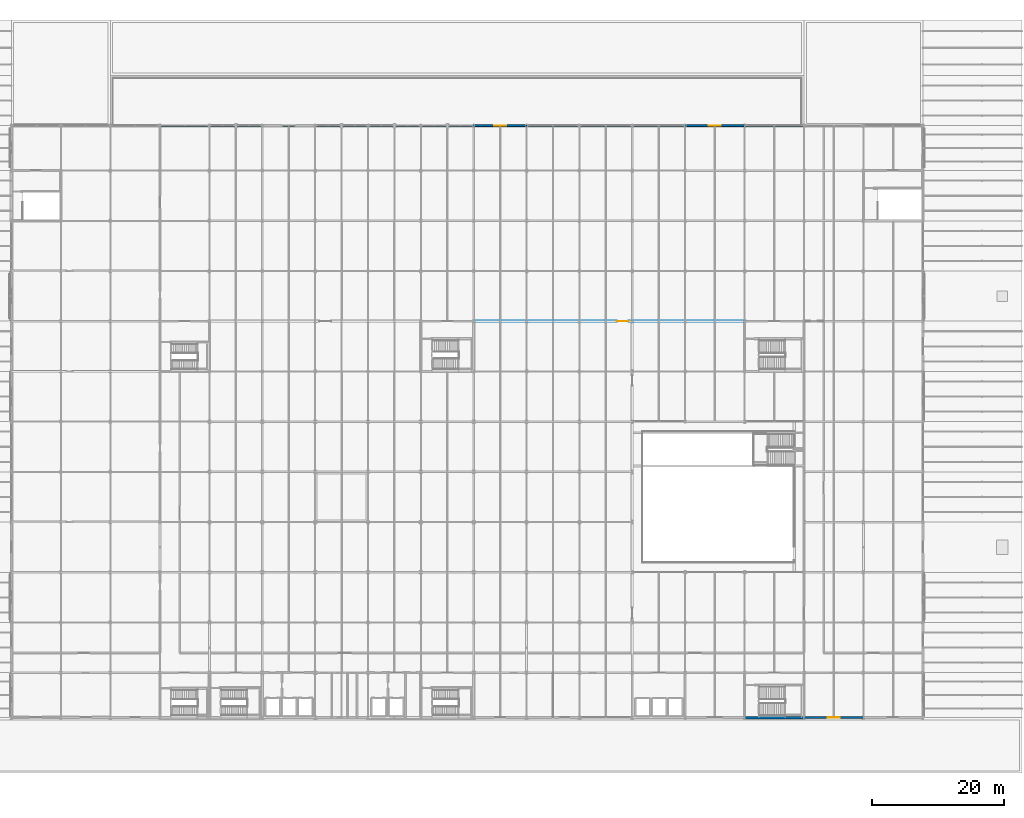
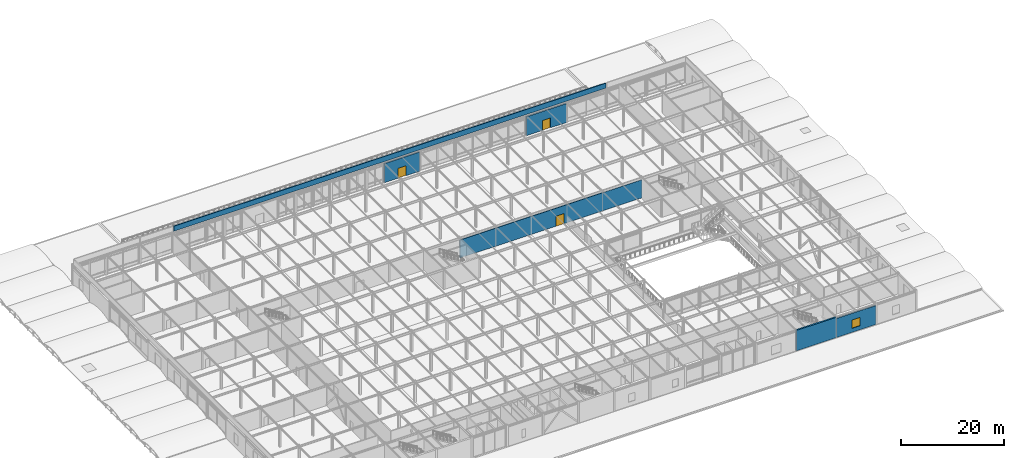
# One storey, part 101 of 113: 6 walls, 3 doors, 1 window, 4 openings.
"""IFC4 building model written with IfcOpenShell, lengths in metres."""

from ifc_helpers import new_model, si_unit, direction, frame, frame_2d, origin, place, context, subcontext, project, spatial, rectangle, extrude, material, layer, layer_set, type_object, element, fill, save


model = new_model("IFC4")

# Units and contexts
model_context = context("Model", 3, precision=1e-05, world=origin(), true_north=direction((0.0, 1.0)))
body_context = subcontext(model_context, "Body", "Model", "MODEL_VIEW")
ifc_project = project(units=[si_unit("LENGTHUNIT", "METRE"), si_unit("AREAUNIT", "SQUARE_METRE"), si_unit("VOLUMEUNIT", "CUBIC_METRE"), si_unit("PLANEANGLEUNIT", "RADIAN"), si_unit("MASSUNIT", "GRAM", prefix="KILO")], contexts=[model_context])

# Site, building, storey
site_placement = place(None, origin())
site = spatial("IfcSite", under=ifc_project, at=site_placement, CompositionType="ELEMENT")
building_placement = place(site_placement, origin())
building = spatial("IfcBuilding", under=site, at=building_placement, Name="Shalkamar Park Central Library", CompositionType="ELEMENT")
storey_placement = place(building_placement, frame((0.0, 0.0, 5.39990234375)))
storey = spatial("IfcBuildingStorey", under=building, at=storey_placement, Name="L02", CompositionType="ELEMENT", Elevation=5.39990234375)

# Wall, opening, door
ifc_material_1 = material(Name="Acoustic insulated reading partition", Category="masonry")
ifc_layer_1 = layer(ifc_material_1, 0.139892578125)
ifc_layer_set_1 = layer_set([ifc_layer_1], Name="AcousticPartition_140")
wall_type_1 = type_object("IfcWallType", Name="Acoustic Partition 140", PredefinedType="PARTITIONING", material=ifc_layer_set_1)
wall_1_placement = place(storey_placement, frame((205.0, 308.39990234375, 0.0), z_axis=(0.0, 0.0, 1.0), x_axis=(1.0, 0.0, 0.0)))
wall_1 = element("IfcWall", 1, at=wall_1_placement, inside=storey, type_object=wall_type_1, Name="Interior Partition WL-INT-L02-028-S2", PredefinedType="PARTITIONING", context=body_context, shape_type="SweptSolid", body=[
    extrude(rectangle(XDim=41.0, YDim=0.139892578125, at=frame_2d((20.5, 0.0))), origin(), (0.0, 0.0, 1.0), 4.30810546875),
])
opening_1_placement = place(wall_1_placement, frame((21.659912109375, 0.0, 0.0)))
opening_1 = element("IfcOpeningElement", 2, at=opening_1_placement, cuts=wall_1, Name="Opening DR-L02-033", PredefinedType="OPENING", context=body_context, shape_type="SweptSolid", body=[
    extrude(rectangle(XDim=1.800048828125, YDim=2.39990234375, at=frame_2d((0.89990234375, 1.199951171875))), frame((0.0, 0.0849609375, 0.0), z_axis=(0.0, -1.0, 0.0), x_axis=(1.0, 0.0, 0.0)), (0.0, 0.0, 1.0), 0.169677734375),
])
ifc_material_2 = material(Name="Steel S355", Category="steel")
door_type_1 = type_object("IfcDoorType", Name="Interior Door Double 1800x2400", OperationType="DOUBLE_DOOR_SINGLE_SWING", PredefinedType="DOOR", material=ifc_material_2)
door_1_placement = place(opening_1_placement, origin())
door_1 = element("IfcDoor", 3, at=door_1_placement, inside=storey, type_object=door_type_1, Name="Humanities Reading Room East Portal", OperationType="DOUBLE_DOOR_SINGLE_SWING", OverallHeight=2.39990234375, OverallWidth=1.800048828125, PredefinedType="DOOR", context=body_context, shape_type="SweptSolid", body=[
    extrude(rectangle(XDim=1.800048828125, YDim=2.39990234375, at=frame_2d((0.89990234375, 1.199951171875))), frame((0.0, 0.02490234375, 0.0), z_axis=(0.0, -1.0, 0.0), x_axis=(1.0, 0.0, 0.0)), (0.0, 0.0, 1.0), 0.050048828125),
])
fill(opening_1, door_1)

# Walls
ifc_material_3 = material(Name="Concrete C40/50", Category="concrete")
ifc_layer_2 = layer(ifc_material_3, 0.35009765625)
ifc_layer_set_2 = layer_set([ifc_layer_2], Name="Concrete C40/50")
wall_type_2 = type_object("IfcWallType", Name="Podium Core Shear Wall 350", PredefinedType="SHEAR", material=ifc_layer_set_2)
wall_2_placement = place(storey_placement, frame((246.0, 248.39990234375, 0.0), z_axis=(0.0, 0.0, 1.0), x_axis=(1.0, 0.0, 0.0)))
element("IfcWall", 4, at=wall_2_placement, inside=storey, type_object=wall_type_2, Name="CORE-P3 South Shear Wall (L02)", PredefinedType="SHEAR", context=body_context, shape_type="SweptSolid", body=[
    extrude(rectangle(XDim=9.0, YDim=0.35009765625, at=frame_2d((4.5, 0.0))), origin(), (0.0, 0.0, 1.0), 4.860107421875),
])
ifc_material_4 = material(Name="Concrete C35/45 precast", Category="concrete")
ifc_layer_3 = layer(ifc_material_4, 0.179931640625)
ifc_layer_set_3 = layer_set([ifc_layer_3], Name="Concrete C35/45 precast")
wall_type_3 = type_object("IfcWallType", Name="Roof Parapet Wall 180", PredefinedType="PARAPET", material=ifc_layer_set_3)
wall_3_placement = place(storey_placement, frame((157.60009765625, 337.89990234375, 5.10009765625), z_axis=(0.0, 0.0, 1.0), x_axis=(1.0, 0.0, 0.0)))
element("IfcWall", 5, at=wall_3_placement, inside=storey, type_object=wall_type_3, Name="Roof Parapet Wall L02-17", PredefinedType="PARAPET", context=body_context, shape_type="SweptSolid", body=[
    extrude(rectangle(XDim=97.2998046875, YDim=0.179931640625, at=frame_2d((48.64990234375, 0.0))), origin(), (0.0, 0.0, 1.0), 1.199951171875),
])

# Wall, opening, window
ifc_material_5 = material(Name="Travertine insulated rainscreen", Category="masonry")
ifc_layer_4 = layer(ifc_material_5, 0.2900390625)
ifc_layer_set_4 = layer_set([ifc_layer_4], Name="TravertineTerracottaWall_290")
wall_type_4 = type_object("IfcWallType", Name="Travertine Terracotta Wall 290", PredefinedType="SOLIDWALL", material=ifc_layer_set_4)
wall_4_placement = place(storey_placement, frame((255.006103515625, 248.39990234375, 0.0), z_axis=(0.0, 0.0, 1.0), x_axis=(1.0, 0.0, 0.0)))
wall_4 = element("IfcWall", 6, at=wall_4_placement, inside=storey, type_object=wall_type_4, Name="Exterior Facade Wall WL-EXT-L02-063", PredefinedType="SOLIDWALL", context=body_context, shape_type="SweptSolid", body=[
    extrude(rectangle(XDim=8.98779296875, YDim=0.2900390625, at=frame_2d((4.493896484375, 0.0))), origin(), (0.0, 0.0, 1.0), 4.508056640625),
])
opening_2_placement = place(wall_4_placement, frame((3.593994140625, 0.0, 0.949951171875)))
opening_2 = element("IfcOpeningElement", 7, at=opening_2_placement, cuts=wall_4, Name="Opening WN-12", PredefinedType="OPENING", context=body_context, shape_type="SweptSolid", body=[
    extrude(rectangle(XDim=1.800048828125, YDim=2.0, at=frame_2d((0.89990234375, 1.0))), frame((0.0, 0.159912109375, 0.0), z_axis=(0.0, -1.0, 0.0), x_axis=(1.0, 0.0, 0.0)), (0.0, 0.0, 1.0), 0.31982421875),
])
ifc_material_6 = material(Name="Thermally broken aluminium and triple low-e glass", Category="glass")
window_type = type_object("IfcWindowType", Name="Tower Window 1800x2000", PartitioningType="DOUBLE_PANEL_VERTICAL", PredefinedType="WINDOW", material=ifc_material_6)
window_placement = place(opening_2_placement, origin())
window = element("IfcWindow", 8, at=window_placement, inside=storey, type_object=window_type, Name="Facade Window WN-L02-031", OverallHeight=2.0, OverallWidth=1.800048828125, PartitioningType="DOUBLE_PANEL_VERTICAL", PredefinedType="WINDOW", context=body_context, shape_type="SweptSolid", body=[
    extrude(rectangle(XDim=1.800048828125, YDim=2.0, at=frame_2d((0.89990234375, 1.0))), frame((0.0, 0.030029296875, 0.0), z_axis=(0.0, -1.0, 0.0), x_axis=(1.0, 0.0, 0.0)), (0.0, 0.0, 1.0), 0.06005859375),
])
fill(opening_2, window)

# Wall, opening, door
wall_5_placement = place(storey_placement, frame((205.006103515625, 338.0, 0.0), z_axis=(0.0, 0.0, 1.0), x_axis=(1.0, 0.0, 0.0)))
wall_5 = element("IfcWall", 9, at=wall_5_placement, inside=storey, type_object=wall_type_4, Name="Exterior Facade Wall WL-EXT-L02-066", PredefinedType="SOLIDWALL", context=body_context, shape_type="SweptSolid", body=[
    extrude(rectangle(XDim=7.98779296875, YDim=0.2900390625, at=frame_2d((3.993896484375, 0.0))), origin(), (0.0, 0.0, 1.0), 4.5380859375),
])
opening_3_placement = place(wall_5_placement, frame((3.069091796875, 0.0, 0.0)))
opening_3 = element("IfcOpeningElement", 10, at=opening_3_placement, cuts=wall_5, Name="Opening ED-L02-033", PredefinedType="OPENING", context=body_context, shape_type="SweptSolid", body=[
    extrude(rectangle(XDim=1.85009765625, YDim=2.35009765625, at=frame_2d((0.925048828125, 1.175048828125))), frame((0.0, 0.159912109375, 0.0), z_axis=(0.0, -1.0, 0.0), x_axis=(1.0, 0.0, 0.0)), (0.0, 0.0, 1.0), 0.31982421875),
])
ifc_material_7 = material(Name="Thermally broken insulated aluminium and glazed door", Category="aluminium")
door_type_2 = type_object("IfcDoorType", Name="Podium Terrace Door 1850x2350", OperationType="DOUBLE_DOOR_SINGLE_SWING", PredefinedType="DOOR", material=ifc_material_7)
door_2_placement = place(opening_3_placement, origin())
door_2 = element("IfcDoor", 11, at=door_2_placement, inside=storey, type_object=door_type_2, Name="L02 Park Reading Terrace Door 12", OperationType="DOUBLE_DOOR_SINGLE_SWING", OverallHeight=2.35009765625, OverallWidth=1.85009765625, PredefinedType="DOOR", context=body_context, shape_type="SweptSolid", body=[
    extrude(rectangle(XDim=1.85009765625, YDim=2.35009765625, at=frame_2d((0.925048828125, 1.175048828125))), frame((0.0, 0.02490234375, 0.0), z_axis=(0.0, -1.0, 0.0), x_axis=(1.0, 0.0, 0.0)), (0.0, 0.0, 1.0), 0.050048828125),
])
fill(opening_3, door_2)

wall_6_placement = place(storey_placement, frame((237.006103515625, 338.0, 0.0), z_axis=(0.0, 0.0, 1.0), x_axis=(1.0, 0.0, 0.0)))
wall_6 = element("IfcWall", 12, at=wall_6_placement, inside=storey, type_object=wall_type_4, Name="Exterior Facade Wall WL-EXT-L02-067", PredefinedType="SOLIDWALL", context=body_context, shape_type="SweptSolid", body=[
    extrude(rectangle(XDim=8.98779296875, YDim=0.2900390625, at=frame_2d((4.493896484375, 0.0))), origin(), (0.0, 0.0, 1.0), 4.498046875),
])
opening_4_placement = place(wall_6_placement, frame((3.569091796875, 0.0, 0.0)))
opening_4 = element("IfcOpeningElement", 13, at=opening_4_placement, cuts=wall_6, Name="Opening ED-L02-034", PredefinedType="OPENING", context=body_context, shape_type="SweptSolid", body=[
    extrude(rectangle(XDim=1.85009765625, YDim=2.35009765625, at=frame_2d((0.925048828125, 1.175048828125))), frame((0.0, 0.159912109375, 0.0), z_axis=(0.0, -1.0, 0.0), x_axis=(1.0, 0.0, 0.0)), (0.0, 0.0, 1.0), 0.31982421875),
])
door_3_placement = place(opening_4_placement, origin())
door_3 = element("IfcDoor", 14, at=door_3_placement, inside=storey, type_object=door_type_2, Name="L02 Park Reading Terrace Door 16", OperationType="DOUBLE_DOOR_SINGLE_SWING", OverallHeight=2.35009765625, OverallWidth=1.85009765625, PredefinedType="DOOR", context=body_context, shape_type="SweptSolid", body=[
    extrude(rectangle(XDim=1.85009765625, YDim=2.35009765625, at=frame_2d((0.925048828125, 1.175048828125))), frame((0.0, 0.02490234375, 0.0), z_axis=(0.0, -1.0, 0.0), x_axis=(1.0, 0.0, 0.0)), (0.0, 0.0, 1.0), 0.050048828125),
])
fill(opening_4, door_3)

save(model, "model.ifc")
